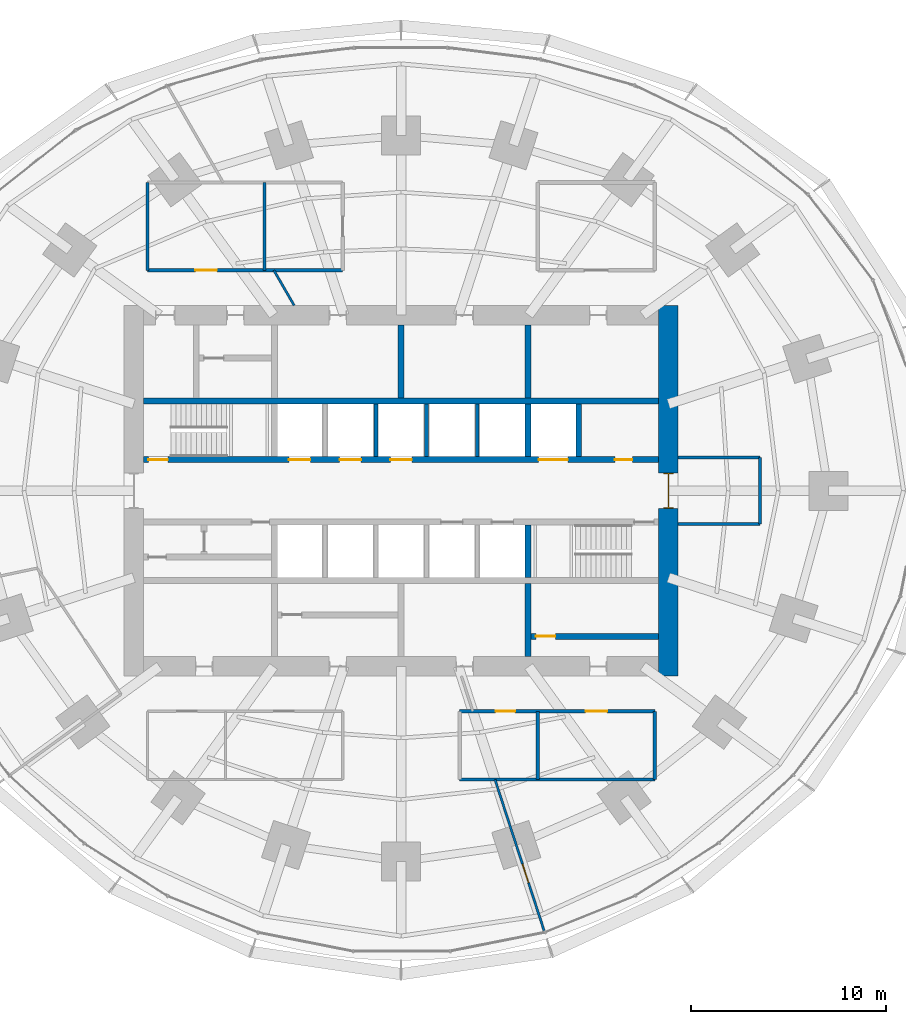
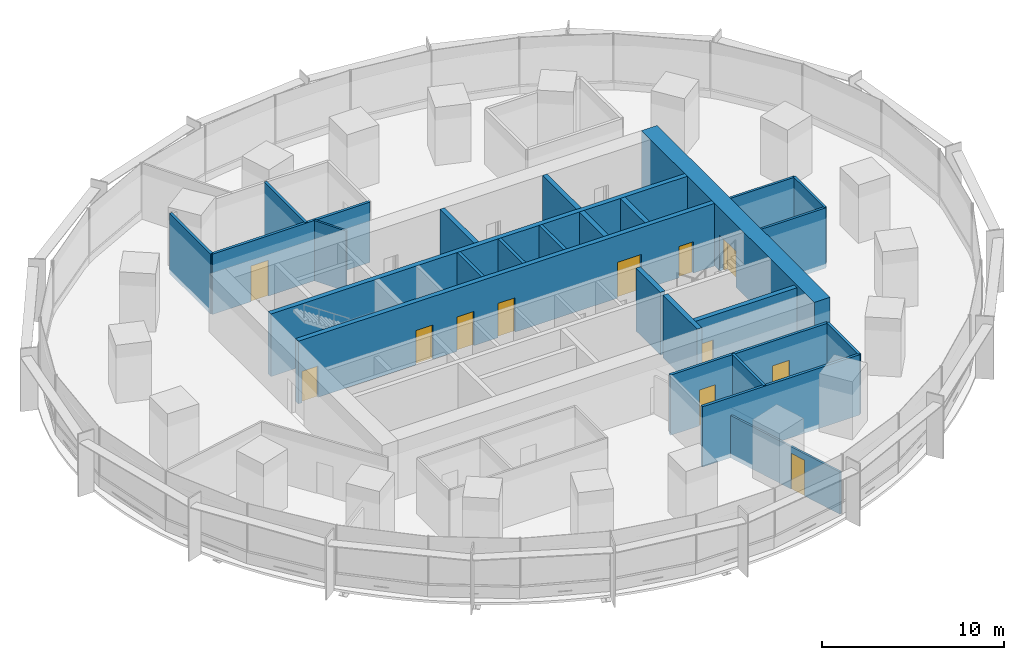
# One storey, part 12 of 15: 25 walls, 12 doors, 12 openings.
"""IFC4 building model written with IfcOpenShell, lengths in metres."""

from ifc_helpers import new_model, si_unit, direction, frame, frame_2d, origin, place, context, subcontext, project, spatial, rectangle, extrude, material, layer, layer_set, type_object, element, fill, save


model = new_model("IFC4")

# Units and contexts
model_context = context("Model", 3, precision=1e-05, world=origin(), true_north=direction((0.0, 1.0)))
body_context = subcontext(model_context, "Body", "Model", "MODEL_VIEW")
ifc_project = project(units=[si_unit("LENGTHUNIT", "METRE"), si_unit("AREAUNIT", "SQUARE_METRE"), si_unit("VOLUMEUNIT", "CUBIC_METRE"), si_unit("PLANEANGLEUNIT", "RADIAN"), si_unit("MASSUNIT", "GRAM", prefix="KILO")], contexts=[model_context])

# Site, building, storey
site_placement = place(None, origin())
site = spatial("IfcSite", under=ifc_project, at=site_placement, CompositionType="ELEMENT")
building_placement = place(site_placement, origin())
building = spatial("IfcBuilding", under=site, at=building_placement, Name="Marramba Exchange Tower", CompositionType="ELEMENT")
storey_placement = place(building_placement, frame((0.0, 0.0, 23.800048828125)))
storey = spatial("IfcBuildingStorey", under=building, at=storey_placement, Name="L05", CompositionType="ELEMENT", Elevation=23.800048828125)

# Walls
ifc_material_1 = material(Name="Plasterboard on staggered double steel studs, acoustic insulation", Category="steel")
ifc_layer_1 = layer(ifc_material_1, 0.169921875)
ifc_layer_set_1 = layer_set([ifc_layer_1], Name="Acoustic partition 170")
wall_type_1 = type_object("IfcWallType", Name="Acoustic partition 170", PredefinedType="PARTITIONING", material=ifc_layer_set_1)
wall_1_placement = place(storey_placement, frame((7.0, -11.300048828125, 0.0), z_axis=(0.0, 0.0, 1.0), x_axis=(0.0, -1.0, 0.0)))
element("IfcWall", 1, at=wall_1_placement, inside=storey, type_object=wall_type_1, Name="Acoustic partition L05 12", PredefinedType="PARTITIONING", context=body_context, shape_type="SweptSolid", body=[
    extrude(rectangle(XDim=3.5, YDim=0.169921875, at=frame_2d((1.75, 0.0))), origin(), (0.0, 0.0, 1.0), 4.0400390625),
])
wall_2_placement = place(storey_placement, frame((3.0, -14.800048828125, 0.0), z_axis=(0.0, 0.0, 1.0), x_axis=(1.0, 0.0, 0.0)))
element("IfcWall", 2, at=wall_2_placement, inside=storey, type_object=wall_type_1, Name="Acoustic partition L05 13", PredefinedType="PARTITIONING", context=body_context, shape_type="SweptSolid", body=[
    extrude(rectangle(XDim=10.0, YDim=0.169921875, at=frame_2d((5.0, 0.0))), origin(), (0.0, 0.0, 1.0), 4.0400390625),
])

# Wall, openings, doors
wall_3_placement = place(storey_placement, frame((13.0, -11.300048828125, 0.0), z_axis=(0.0, 0.0, 1.0), x_axis=(-1.0, 0.0, 0.0)))
wall_3 = element("IfcWall", 3, at=wall_3_placement, inside=storey, type_object=wall_type_1, Name="Acoustic partition L05 14", PredefinedType="PARTITIONING", context=body_context, shape_type="SweptSolid", body=[
    extrude(rectangle(XDim=10.0, YDim=0.169921875, at=frame_2d((5.0, 0.0))), origin(), (0.0, 0.0, 1.0), 4.0400390625),
])
opening_1_placement = place(wall_3_placement, frame((7.1640625, 0.0, 0.0)))
opening_1 = element("IfcOpeningElement", 4, at=opening_1_placement, cuts=wall_3, Name="Opening D9", PredefinedType="OPENING", context=body_context, shape_type="SweptSolid", body=[
    extrude(rectangle(XDim=1.0, YDim=2.39990234375, at=frame_2d((0.5, 1.199951171875))), frame((0.0, 0.094970703125, 0.0), z_axis=(0.0, -1.0, 0.0), x_axis=(1.0, 0.0, 0.0)), (0.0, 0.0, 1.0), 0.18994140625),
])
opening_2_placement = place(wall_3_placement, frame((2.449951171875, 0.0, 0.0)))
opening_2 = element("IfcOpeningElement", 5, at=opening_2_placement, cuts=wall_3, Name="Opening D15", PredefinedType="OPENING", context=body_context, shape_type="SweptSolid", body=[
    extrude(rectangle(XDim=1.10009765625, YDim=2.39990234375, at=frame_2d((0.550048828125, 1.199951171875))), frame((0.0, 0.094970703125, 0.0), z_axis=(0.0, -1.0, 0.0), x_axis=(1.0, 0.0, 0.0)), (0.0, 0.0, 1.0), 0.18994140625),
])
ifc_material_2 = material(Name="Timber door", Category="wood")
door_type_1 = type_object("IfcDoorType", Name="Glazed meeting room door 1100x2400", OperationType="SINGLE_SWING_LEFT", PredefinedType="DOOR", material=ifc_material_2)
door_1_placement = place(opening_2_placement, origin())
door_1 = element("IfcDoor", 6, at=door_1_placement, inside=storey, type_object=door_type_1, Name="D15 Meeting Room 2 L05", OperationType="SINGLE_SWING_RIGHT", OverallHeight=2.39990234375, OverallWidth=1.10009765625, PredefinedType="DOOR", context=body_context, shape_type="SweptSolid", body=[
    extrude(rectangle(XDim=1.10009765625, YDim=2.39990234375, at=frame_2d((0.550048828125, 1.199951171875))), frame((0.0, 0.02490234375, 0.0), z_axis=(0.0, -1.0, 0.0), x_axis=(1.0, 0.0, 0.0)), (0.0, 0.0, 1.0), 0.050048828125),
])
fill(opening_2, door_1)
door_type_2 = type_object("IfcDoorType", Name="Room door 1000x2400", OperationType="SINGLE_SWING_LEFT", PredefinedType="DOOR", material=ifc_material_2)
door_2_placement = place(opening_1_placement, origin())
door_2 = element("IfcDoor", 7, at=door_2_placement, inside=storey, type_object=door_type_2, Name="D9 Quiet Room L05", OperationType="SINGLE_SWING_LEFT", OverallHeight=2.39990234375, OverallWidth=1.0, PredefinedType="DOOR", context=body_context, shape_type="SweptSolid", body=[
    extrude(rectangle(XDim=1.0, YDim=2.39990234375, at=frame_2d((0.5, 1.199951171875))), frame((0.0, 0.02490234375, 0.0), z_axis=(0.0, -1.0, 0.0), x_axis=(1.0, 0.0, 0.0)), (0.0, 0.0, 1.0), 0.050048828125),
])
fill(opening_1, door_2)

# Walls
wall_4_placement = place(storey_placement, frame((13.0, -14.800048828125, 0.0), z_axis=(0.0, 0.0, 1.0), x_axis=(0.0, 1.0, 0.0)))
element("IfcWall", 8, at=wall_4_placement, inside=storey, type_object=wall_type_1, Name="Acoustic partition L05 15", PredefinedType="PARTITIONING", context=body_context, shape_type="SweptSolid", body=[
    extrude(rectangle(XDim=3.5, YDim=0.169921875, at=frame_2d((1.75, 0.0))), origin(), (0.0, 0.0, 1.0), 4.0400390625),
])
wall_5_placement = place(storey_placement, frame((-7.0, 15.800048828125, 0.0), z_axis=(0.0, 0.0, 1.0), x_axis=(0.0, -1.0, 0.0)))
element("IfcWall", 9, at=wall_5_placement, inside=storey, type_object=wall_type_1, Name="Acoustic partition L05 25", PredefinedType="PARTITIONING", context=body_context, shape_type="SweptSolid", body=[
    extrude(rectangle(XDim=4.5, YDim=0.169921875, at=frame_2d((2.25, 0.0))), origin(), (0.0, 0.0, 1.0), 4.0400390625),
])

# Wall, opening, door
wall_6_placement = place(storey_placement, frame((-13.0, 11.300048828125, 0.0), z_axis=(0.0, 0.0, 1.0), x_axis=(1.0, 0.0, 0.0)))
wall_6 = element("IfcWall", 10, at=wall_6_placement, inside=storey, type_object=wall_type_1, Name="Acoustic partition L05 28", PredefinedType="PARTITIONING", context=body_context, shape_type="SweptSolid", body=[
    extrude(rectangle(XDim=10.0, YDim=0.169921875, at=frame_2d((5.0, 0.0))), origin(), (0.0, 0.0, 1.0), 4.0400390625),
])
opening_3_placement = place(wall_6_placement, frame((2.449951171875, 0.0, 0.0)))
opening_3 = element("IfcOpeningElement", 11, at=opening_3_placement, cuts=wall_6, Name="Opening D15", PredefinedType="OPENING", context=body_context, shape_type="SweptSolid", body=[
    extrude(rectangle(XDim=1.10009765625, YDim=2.39990234375, at=frame_2d((0.550048828125, 1.199951171875))), frame((0.0, 0.094970703125, 0.0), z_axis=(0.0, -1.0, 0.0), x_axis=(1.0, 0.0, 0.0)), (0.0, 0.0, 1.0), 0.18994140625),
])
door_3_placement = place(opening_3_placement, origin())
door_3 = element("IfcDoor", 12, at=door_3_placement, inside=storey, type_object=door_type_1, Name="D15 Meeting Room 1 L05", OperationType="SINGLE_SWING_RIGHT", OverallHeight=2.39990234375, OverallWidth=1.10009765625, PredefinedType="DOOR", context=body_context, shape_type="SweptSolid", body=[
    extrude(rectangle(XDim=1.10009765625, YDim=2.39990234375, at=frame_2d((0.550048828125, 1.199951171875))), frame((0.0, 0.02490234375, 0.0), z_axis=(0.0, -1.0, 0.0), x_axis=(1.0, 0.0, 0.0)), (0.0, 0.0, 1.0), 0.050048828125),
])
fill(opening_3, door_3)

# Walls
wall_7_placement = place(storey_placement, frame((-13.0, 15.800048828125, 0.0), z_axis=(0.0, 0.0, 1.0), x_axis=(0.0, -1.0, 0.0)))
element("IfcWall", 13, at=wall_7_placement, inside=storey, type_object=wall_type_1, Name="Acoustic partition L05 29", PredefinedType="PARTITIONING", context=body_context, shape_type="SweptSolid", body=[
    extrude(rectangle(XDim=4.5, YDim=0.169921875, at=frame_2d((2.25, 0.0))), origin(), (0.0, 0.0, 1.0), 4.0400390625),
])
ifc_material_3 = material(Name="Concrete N50", Category="concrete")
ifc_layer_2 = layer(ifc_material_3, 0.199951171875)
ifc_layer_set_2 = layer_set([ifc_layer_2], Name="Core shaft wall 200")
wall_type_2 = type_object("IfcWallType", Name="Core shaft wall 200", PredefinedType="SHEAR", material=ifc_layer_set_2)
for number, where, z_axis, x_axis, name in (
    (14, (-1.300048828125, 1.75, 0.0), (0.0, 0.0, 1.0), (0.0, 1.0, 0.0), "Core wall SHN2 L05"),
    (15, (1.300048828125, 1.75, 0.0), (0.0, 0.0, 1.0), (0.0, 1.0, 0.0), "Core wall SHN3 L05"),
    (16, (3.89990234375, 1.75, 0.0), (0.0, 0.0, 1.0), (0.0, 1.0, 0.0), "Core wall SHN4 L05"),
):
    element("IfcWall", number, at=place(storey_placement, frame(where, z_axis=z_axis, x_axis=x_axis)), inside=storey, type_object=wall_type_2, Name=name, PredefinedType="SHEAR", context=body_context, shape_type="SweptSolid", body=[
        extrude(rectangle(XDim=2.699951171875, YDim=0.199951171875, at=frame_2d((1.35009765625, 0.0))), origin(), (0.0, 0.0, 1.0), 4.199951171875),
    ])

# Wall, opening, door
ifc_layer_3 = layer(ifc_material_3, 1.0)
ifc_layer_set_3 = layer_set([ifc_layer_3], Name="Core wall 1000")
wall_type_3 = type_object("IfcWallType", Name="Core wall 1000", PredefinedType="SHEAR", material=ifc_layer_set_3)
wall_8_placement = place(storey_placement, frame((13.699951171875, -9.5, 0.0), z_axis=(0.0, 0.0, 1.0), x_axis=(0.0, 1.0, 0.0)))
wall_8 = element("IfcWall", 17, at=wall_8_placement, inside=storey, type_object=wall_type_3, Name="Core wall E L05", PredefinedType="SHEAR", context=body_context, shape_type="SweptSolid", body=[
    extrude(rectangle(XDim=19.0, YDim=1.0, at=frame_2d((9.5, 0.0))), origin(), (0.0, 0.0, 1.0), 4.199951171875),
])
opening_4_placement = place(wall_8_placement, frame((8.60009765625, 0.0, 0.0)))
opening_4 = element("IfcOpeningElement", 18, at=opening_4_placement, cuts=wall_8, Name="Opening D1", PredefinedType="OPENING", context=body_context, shape_type="SweptSolid", body=[
    extrude(rectangle(XDim=1.800048828125, YDim=2.39990234375, at=frame_2d((0.89990234375, 1.199951171875))), frame((0.0, 0.510009765625, 0.0), z_axis=(0.0, -1.0, 0.0), x_axis=(1.0, 0.0, 0.0)), (0.0, 0.0, 1.0), 1.02001953125),
])
ifc_material_4 = material(Name="Steel-framed door", Category="steel")
door_type_3 = type_object("IfcDoorType", Name="Lobby exit door 1800x2400", OperationType="DOUBLE_DOOR_SINGLE_SWING", PredefinedType="DOOR", material=ifc_material_4)
door_4_placement = place(opening_4_placement, frame((1.800048828125, 0.0, 0.0), z_axis=(0.0, 0.0, 1.0), x_axis=(-1.0, 0.0, 0.0)))
door_4 = element("IfcDoor", 19, at=door_4_placement, inside=storey, type_object=door_type_3, Name="D1 lobby exit east L05", OperationType="DOUBLE_DOOR_SINGLE_SWING", OverallHeight=2.39990234375, OverallWidth=1.800048828125, PredefinedType="DOOR", context=body_context, shape_type="SweptSolid", body=[
    extrude(rectangle(XDim=1.719970703125, YDim=2.35986328125, at=frame_2d((0.900146484375, 1.179931640625))), frame((0.0, 0.025146484375, 0.0), z_axis=(0.0, -1.0, 0.0), x_axis=(1.0, 0.0, 0.0)), (0.0, 0.0, 1.0), 0.050048828125),
    extrude(rectangle(XDim=0.04, YDim=2.39990234375, at=frame_2d((1.780029296875, 1.199951171875))), frame((0.0, 0.25, 0.0), z_axis=(0.0, -1.0, 0.0), x_axis=(1.0, 0.0, 0.0)), (0.0, 0.0, 1.0), 0.5),
    extrude(rectangle(XDim=0.04, YDim=2.39990234375, at=frame_2d((0.02001953125, 1.199951171875))), frame((0.0, 0.25, 0.0), z_axis=(0.0, -1.0, 0.0), x_axis=(1.0, 0.0, 0.0)), (0.0, 0.0, 1.0), 0.5),
    extrude(rectangle(XDim=1.719970703125, YDim=0.04, at=frame_2d((0.900146484375, 2.3798828125))), frame((0.0, 0.25, 0.0), z_axis=(0.0, -1.0, 0.0), x_axis=(1.0, 0.0, 0.0)), (0.0, 0.0, 1.0), 0.5),
])
fill(opening_4, door_4)

# Wall, openings, doors
ifc_layer_4 = layer(ifc_material_3, 0.300048828125)
ifc_layer_set_4 = layer_set([ifc_layer_4], Name="Core wall 300")
wall_type_4 = type_object("IfcWallType", Name="Core wall 300", PredefinedType="SHEAR", material=ifc_layer_set_4)
wall_9_placement = place(storey_placement, frame((-13.199951171875, 1.60009765625, 0.0), z_axis=(0.0, 0.0, 1.0), x_axis=(1.0, 0.0, 0.0)))
wall_9 = element("IfcWall", 20, at=wall_9_placement, inside=storey, type_object=wall_type_4, Name="Core wall LN L05", PredefinedType="SHEAR", context=body_context, shape_type="SweptSolid", body=[
    extrude(rectangle(XDim=26.39990234375, YDim=0.300048828125, at=frame_2d((13.199951171875, 0.0))), origin(), (0.0, 0.0, 1.0), 4.199951171875),
])
opening_5_placement = place(wall_9_placement, frame((0.25, 0.0, 0.0)))
opening_5 = element("IfcOpeningElement", 21, at=opening_5_placement, cuts=wall_9, Name="Opening D2", PredefinedType="OPENING", context=body_context, shape_type="SweptSolid", body=[
    extrude(rectangle(XDim=1.0, YDim=2.10009765625, at=frame_2d((0.5, 1.050048828125))), frame((0.0, 0.159912109375, 0.0), z_axis=(0.0, -1.0, 0.0), x_axis=(1.0, 0.0, 0.0)), (0.0, 0.0, 1.0), 0.320068359375),
])
opening_6_placement = place(wall_9_placement, frame((20.25, 0.0, 0.0)))
opening_6 = element("IfcOpeningElement", 22, at=opening_6_placement, cuts=wall_9, Name="Opening LD3", PredefinedType="OPENING", context=body_context, shape_type="SweptSolid", body=[
    extrude(rectangle(XDim=1.5, YDim=2.39990234375, at=frame_2d((0.75, 1.199951171875))), frame((0.0, 0.159912109375, 0.0), z_axis=(0.0, -1.0, 0.0), x_axis=(1.0, 0.0, 0.0)), (0.0, 0.0, 1.0), 0.320068359375),
])
opening_7_placement = place(wall_9_placement, frame((7.449951171875, 0.0, 0.0)))
opening_7 = element("IfcOpeningElement", 23, at=opening_7_placement, cuts=wall_9, Name="Opening LD1", PredefinedType="OPENING", context=body_context, shape_type="SweptSolid", body=[
    extrude(rectangle(XDim=1.10009765625, YDim=2.300048828125, at=frame_2d((0.550048828125, 1.14990234375))), frame((0.0, 0.159912109375, 0.0), z_axis=(0.0, -1.0, 0.0), x_axis=(1.0, 0.0, 0.0)), (0.0, 0.0, 1.0), 0.320068359375),
])
opening_8_placement = place(wall_9_placement, frame((10.050048828125, 0.0, 0.0)))
opening_8 = element("IfcOpeningElement", 24, at=opening_8_placement, cuts=wall_9, Name="Opening LD1", PredefinedType="OPENING", context=body_context, shape_type="SweptSolid", body=[
    extrude(rectangle(XDim=1.10009765625, YDim=2.300048828125, at=frame_2d((0.550048828125, 1.14990234375))), frame((0.0, 0.159912109375, 0.0), z_axis=(0.0, -1.0, 0.0), x_axis=(1.0, 0.0, 0.0)), (0.0, 0.0, 1.0), 0.320068359375),
])
opening_9_placement = place(wall_9_placement, frame((12.64990234375, 0.0, 0.0)))
opening_9 = element("IfcOpeningElement", 25, at=opening_9_placement, cuts=wall_9, Name="Opening LD1", PredefinedType="OPENING", context=body_context, shape_type="SweptSolid", body=[
    extrude(rectangle(XDim=1.10009765625, YDim=2.300048828125, at=frame_2d((0.550048828125, 1.14990234375))), frame((0.0, 0.159912109375, 0.0), z_axis=(0.0, -1.0, 0.0), x_axis=(1.0, 0.0, 0.0)), (0.0, 0.0, 1.0), 0.320068359375),
])
opening_10_placement = place(wall_9_placement, frame((24.14990234375, 0.0, 0.0)))
opening_10 = element("IfcOpeningElement", 26, at=opening_10_placement, cuts=wall_9, Name="Opening D5", PredefinedType="OPENING", context=body_context, shape_type="SweptSolid", body=[
    extrude(rectangle(XDim=0.89990234375, YDim=2.10009765625, at=frame_2d((0.449951171875, 1.050048828125))), frame((0.0, 0.159912109375, 0.0), z_axis=(0.0, -1.0, 0.0), x_axis=(1.0, 0.0, 0.0)), (0.0, 0.0, 1.0), 0.320068359375),
])
door_type_4 = type_object("IfcDoorType", Name="Goods lift landing door 1500x2400", OperationType="SLIDING_TO_LEFT", PredefinedType="DOOR", material=ifc_material_4)
door_5_placement = place(opening_6_placement, origin())
door_5 = element("IfcDoor", 27, at=door_5_placement, inside=storey, type_object=door_type_4, Name="GL1 landing door L05", OperationType="SLIDING_TO_LEFT", OverallHeight=2.39990234375, OverallWidth=1.5, PredefinedType="DOOR", context=body_context, shape_type="SweptSolid", body=[
    extrude(rectangle(XDim=1.5, YDim=2.39990234375, at=frame_2d((0.75, 1.199951171875))), frame((0.0, 0.02490234375, 0.0), z_axis=(0.0, -1.0, 0.0), x_axis=(1.0, 0.0, 0.0)), (0.0, 0.0, 1.0), 0.050048828125),
])
fill(opening_6, door_5)
door_type_5 = type_object("IfcDoorType", Name="Lift landing door 1100x2300", OperationType="SLIDING_TO_LEFT", PredefinedType="DOOR", material=ifc_material_4)
door_6_placement = place(opening_7_placement, origin())
door_6 = element("IfcDoor", 28, at=door_6_placement, inside=storey, type_object=door_type_5, Name="LA1 landing door L05", OperationType="SLIDING_TO_LEFT", OverallHeight=2.300048828125, OverallWidth=1.10009765625, PredefinedType="DOOR", context=body_context, shape_type="SweptSolid", body=[
    extrude(rectangle(XDim=1.10009765625, YDim=2.300048828125, at=frame_2d((0.550048828125, 1.14990234375))), frame((0.0, 0.02490234375, 0.0), z_axis=(0.0, -1.0, 0.0), x_axis=(1.0, 0.0, 0.0)), (0.0, 0.0, 1.0), 0.050048828125),
])
fill(opening_7, door_6)
door_7_placement = place(opening_8_placement, origin())
door_7 = element("IfcDoor", 29, at=door_7_placement, inside=storey, type_object=door_type_5, Name="LA2 landing door L05", OperationType="SLIDING_TO_LEFT", OverallHeight=2.300048828125, OverallWidth=1.10009765625, PredefinedType="DOOR", context=body_context, shape_type="SweptSolid", body=[
    extrude(rectangle(XDim=1.10009765625, YDim=2.300048828125, at=frame_2d((0.550048828125, 1.14990234375))), frame((0.0, 0.02490234375, 0.0), z_axis=(0.0, -1.0, 0.0), x_axis=(1.0, 0.0, 0.0)), (0.0, 0.0, 1.0), 0.050048828125),
])
fill(opening_8, door_7)
door_8_placement = place(opening_9_placement, origin())
door_8 = element("IfcDoor", 30, at=door_8_placement, inside=storey, type_object=door_type_5, Name="LA3 landing door L05", OperationType="SLIDING_TO_RIGHT", OverallHeight=2.300048828125, OverallWidth=1.10009765625, PredefinedType="DOOR", context=body_context, shape_type="SweptSolid", body=[
    extrude(rectangle(XDim=1.10009765625, YDim=2.300048828125, at=frame_2d((0.550048828125, 1.14990234375))), frame((0.0, 0.02490234375, 0.0), z_axis=(0.0, -1.0, 0.0), x_axis=(1.0, 0.0, 0.0)), (0.0, 0.0, 1.0), 0.050048828125),
])
fill(opening_9, door_8)
door_type_6 = type_object("IfcDoorType", Name="Service door 900x2100", OperationType="SINGLE_SWING_LEFT", PredefinedType="DOOR", material=ifc_material_4)
door_9_placement = place(opening_10_placement, origin())
door_9 = element("IfcDoor", 31, at=door_9_placement, inside=storey, type_object=door_type_6, Name="D5 riser L05", OperationType="SINGLE_SWING_RIGHT", OverallHeight=2.10009765625, OverallWidth=0.89990234375, PredefinedType="DOOR", context=body_context, shape_type="SweptSolid", body=[
    extrude(rectangle(XDim=0.89990234375, YDim=2.10009765625, at=frame_2d((0.449951171875, 1.050048828125))), frame((0.0, 0.02490234375, 0.0), z_axis=(0.0, -1.0, 0.0), x_axis=(1.0, 0.0, 0.0)), (0.0, 0.0, 1.0), 0.050048828125),
])
fill(opening_10, door_9)
door_type_7 = type_object("IfcDoorType", Name="Stair door 1000x2100", OperationType="SINGLE_SWING_LEFT", PredefinedType="DOOR", material=ifc_material_4)
door_10_placement = place(opening_5_placement, origin())
door_10 = element("IfcDoor", 32, at=door_10_placement, inside=storey, type_object=door_type_7, Name="D2 stair ST1 L05", OperationType="SINGLE_SWING_LEFT", OverallHeight=2.10009765625, OverallWidth=1.0, PredefinedType="DOOR", context=body_context, shape_type="SweptSolid", body=[
    extrude(rectangle(XDim=1.0, YDim=2.10009765625, at=frame_2d((0.5, 1.050048828125))), frame((0.0, 0.02490234375, 0.0), z_axis=(0.0, -1.0, 0.0), x_axis=(1.0, 0.0, 0.0)), (0.0, 0.0, 1.0), 0.050048828125),
])
fill(opening_5, door_10)

# Walls
wall_10_placement = place(storey_placement, frame((-13.199951171875, 4.60009765625, 0.0), z_axis=(0.0, 0.0, 1.0), x_axis=(1.0, 0.0, 0.0)))
element("IfcWall", 33, at=wall_10_placement, inside=storey, type_object=wall_type_4, Name="Core wall BN L05", PredefinedType="SHEAR", context=body_context, shape_type="SweptSolid", body=[
    extrude(rectangle(XDim=26.39990234375, YDim=0.300048828125, at=frame_2d((13.199951171875, 0.0))), origin(), (0.0, 0.0, 1.0), 4.199951171875),
])
wall_11_placement = place(storey_placement, frame((6.5, 1.75, 0.0), z_axis=(0.0, 0.0, 1.0), x_axis=(0.0, 1.0, 0.0)))
element("IfcWall", 34, at=wall_11_placement, inside=storey, type_object=wall_type_4, Name="Core wall X1Na L05", PredefinedType="SHEAR", context=body_context, shape_type="SweptSolid", body=[
    extrude(rectangle(XDim=2.699951171875, YDim=0.300048828125, at=frame_2d((1.35009765625, 0.0))), origin(), (0.0, 0.0, 1.0), 4.199951171875),
])
for number, where, z_axis, x_axis, name in (
    (35, (6.5, 4.75, 0.0), (0.0, 0.0, 1.0), (0.0, 1.0, 0.0), "Core wall X1Nb L05"),
    (36, (0.0, 4.75, 0.0), (0.0, 0.0, 1.0), (0.0, 1.0, 0.0), "Core wall MN L05"),
):
    element("IfcWall", number, at=place(storey_placement, frame(where, z_axis=z_axis, x_axis=x_axis)), inside=storey, type_object=wall_type_4, Name=name, PredefinedType="SHEAR", context=body_context, shape_type="SweptSolid", body=[
        extrude(rectangle(XDim=3.75, YDim=0.300048828125, at=frame_2d((1.875, 0.0))), origin(), (0.0, 0.0, 1.0), 4.199951171875),
    ])
wall_12_placement = place(storey_placement, frame((6.5, -1.75, 0.0), z_axis=(0.0, 0.0, 1.0), x_axis=(0.0, -1.0, 0.0)))
element("IfcWall", 37, at=wall_12_placement, inside=storey, type_object=wall_type_4, Name="Core wall X1Sa L05", PredefinedType="SHEAR", context=body_context, shape_type="SweptSolid", body=[
    extrude(rectangle(XDim=2.699951171875, YDim=0.300048828125, at=frame_2d((1.35009765625, 0.0))), origin(), (0.0, 0.0, 1.0), 4.199951171875),
])
wall_13_placement = place(storey_placement, frame((6.5, -4.75, 0.0), z_axis=(0.0, 0.0, 1.0), x_axis=(0.0, -1.0, 0.0)))
element("IfcWall", 38, at=wall_13_placement, inside=storey, type_object=wall_type_4, Name="Core wall X1Sb L05", PredefinedType="SHEAR", context=body_context, shape_type="SweptSolid", body=[
    extrude(rectangle(XDim=3.75, YDim=0.300048828125, at=frame_2d((1.875, 0.0))), origin(), (0.0, 0.0, 1.0), 4.199951171875),
])
wall_14_placement = place(storey_placement, frame((9.10009765625, 1.75, 0.0), z_axis=(0.0, 0.0, 1.0), x_axis=(0.0, 1.0, 0.0)))
element("IfcWall", 39, at=wall_14_placement, inside=storey, type_object=wall_type_4, Name="Core wall ED L05", PredefinedType="SHEAR", context=body_context, shape_type="SweptSolid", body=[
    extrude(rectangle(XDim=2.699951171875, YDim=0.300048828125, at=frame_2d((1.35009765625, 0.0))), origin(), (0.0, 0.0, 1.0), 4.199951171875),
])

# Wall, opening, door
ifc_material_5 = material(Name="Plasterboard on steel studs", Category="steel")
ifc_layer_5 = layer(ifc_material_5, 0.1201171875)
ifc_layer_set_5 = layer_set([ifc_layer_5], Name="Partition 120")
wall_type_5 = type_object("IfcWallType", Name="Partition 120", PredefinedType="PARTITIONING", material=ifc_layer_set_5)
wall_15_placement = place(storey_placement, frame((7.330078125, -22.56005859375, 0.0), z_axis=(0.0, 0.0, 1.0), x_axis=(-0.30900149873, 0.951061550996, 0.0)))
wall_15 = element("IfcWall", 40, at=wall_15_placement, inside=storey, type_object=wall_type_5, Name="Partition L05 11", PredefinedType="PARTITIONING", context=body_context, shape_type="SweptSolid", body=[
    extrude(rectangle(XDim=8.159423828125, YDim=0.1201171875, at=frame_2d((4.07958984375, 0.0))), origin(), (0.0, 0.0, 1.0), 2.83984375),
])
opening_11_placement = place(wall_15_placement, frame((2.60302734375, 0.0, 0.0)))
opening_11 = element("IfcOpeningElement", 41, at=opening_11_placement, cuts=wall_15, Name="Opening D9", PredefinedType="OPENING", context=body_context, shape_type="SweptSolid", body=[
    extrude(rectangle(XDim=1.0, YDim=2.39990234375, at=frame_2d((0.5, 1.199951171875))), frame((0.0, 0.070068359375, 0.0), z_axis=(0.0, -1.0, 0.0), x_axis=(1.0, 0.0, 0.0)), (0.0, 0.0, 1.0), 0.14013671875),
])
door_11_placement = place(opening_11_placement, origin())
door_11 = element("IfcDoor", 42, at=door_11_placement, inside=storey, type_object=door_type_2, Name="D9 Equities Trading Floor L05", OperationType="SINGLE_SWING_LEFT", OverallHeight=2.39990234375, OverallWidth=1.0, PredefinedType="DOOR", context=body_context, shape_type="SweptSolid", body=[
    extrude(rectangle(XDim=1.0, YDim=2.39990234375, at=frame_2d((0.5, 1.199951171875))), frame((0.0, 0.02490234375, 0.0), z_axis=(0.0, -1.0, 0.0), x_axis=(1.0, 0.0, 0.0)), (0.0, 0.0, 1.0), 0.050048828125),
])
fill(opening_11, door_11)

# Wall
wall_16_placement = place(storey_placement, frame((-5.48486328125, 9.5, 0.0), z_axis=(0.0, 0.0, 1.0), x_axis=(-0.499929208183, 0.866066271601, 0.0)))
element("IfcWall", 43, at=wall_16_placement, inside=storey, type_object=wall_type_5, Name="Partition L05 26", PredefinedType="PARTITIONING", context=body_context, shape_type="SweptSolid", body=[
    extrude(rectangle(XDim=2.078369140625, YDim=0.1201171875, at=frame_2d((1.0390625, 0.0))), origin(), (0.0, 0.0, 1.0), 4.0400390625),
])

# Wall, opening, door
ifc_material_6 = material(Name="Plasterboard on steel studs, insulated, unrated", Category="steel")
ifc_layer_6 = layer(ifc_material_6, 0.300048828125)
ifc_layer_set_6 = layer_set([ifc_layer_6], Name="Store partition 300")
wall_type_6 = type_object("IfcWallType", Name="Store partition 300", PredefinedType="PARTITIONING", material=ifc_layer_set_6)
wall_17_placement = place(storey_placement, frame((6.64990234375, -7.4599609375, 0.0), z_axis=(0.0, 0.0, 1.0), x_axis=(1.0, 0.0, 0.0)))
wall_17 = element("IfcWall", 44, at=wall_17_placement, inside=storey, type_object=wall_type_6, Name="Store partition L05 cstore", PredefinedType="PARTITIONING", context=body_context, shape_type="SweptSolid", body=[
    extrude(rectangle(XDim=6.550048828125, YDim=0.300048828125, at=frame_2d((3.27490234375, 0.0))), origin(), (0.0, 0.0, 1.0), 4.0400390625),
])
opening_12_placement = place(wall_17_placement, frame((0.25, 0.0, 0.0)))
opening_12 = element("IfcOpeningElement", 45, at=opening_12_placement, cuts=wall_17, Name="Opening D9", PredefinedType="OPENING", context=body_context, shape_type="SweptSolid", body=[
    extrude(rectangle(XDim=1.0, YDim=2.39990234375, at=frame_2d((0.5, 1.199951171875))), frame((0.0, 0.159912109375, 0.0), z_axis=(0.0, -1.0, 0.0), x_axis=(1.0, 0.0, 0.0)), (0.0, 0.0, 1.0), 0.320068359375),
])
door_12_placement = place(opening_12_placement, frame((1.0, 0.0, 0.0), z_axis=(0.0, 0.0, 1.0), x_axis=(-1.0, 0.0, 0.0)))
door_12 = element("IfcDoor", 46, at=door_12_placement, inside=storey, type_object=door_type_2, Name="D9 general store L05", OperationType="SINGLE_SWING_RIGHT", OverallHeight=2.39990234375, OverallWidth=1.0, PredefinedType="DOOR", context=body_context, shape_type="SweptSolid", body=[
    extrude(rectangle(XDim=1.0, YDim=2.39990234375, at=frame_2d((0.5, 1.199951171875))), frame((0.0, 0.025146484375, 0.0), z_axis=(0.0, -1.0, 0.0), x_axis=(1.0, 0.0, 0.0)), (0.0, 0.0, 1.0), 0.050048828125),
])
fill(opening_12, door_12)

# Walls
ifc_material_7 = material(Name="Fire-rated plasterboard on steel studs, acoustic insulation", Category="steel")
ifc_layer_7 = layer(ifc_material_7, 0.14990234375)
ifc_layer_set_7 = layer_set([ifc_layer_7], Name="Tenancy wall 150")
wall_type_7 = type_object("IfcWallType", Name="Tenancy wall 150", PredefinedType="PARTITIONING", material=ifc_layer_set_7)
wall_18_placement = place(storey_placement, frame((14.199951171875, -1.699951171875, 0.0), z_axis=(0.0, 0.0, 1.0), x_axis=(1.0, 0.0, 0.0)))
element("IfcWall", 47, at=wall_18_placement, inside=storey, type_object=wall_type_7, Name="Tenancy wall L05 16", PredefinedType="PARTITIONING", context=body_context, shape_type="SweptSolid", body=[
    extrude(rectangle(XDim=4.199951171875, YDim=0.14990234375, at=frame_2d((2.10009765625, 0.0))), origin(), (0.0, 0.0, 1.0), 4.0400390625),
])
wall_19_placement = place(storey_placement, frame((18.39990234375, -1.699951171875, 0.0), z_axis=(0.0, 0.0, 1.0), x_axis=(0.0, 1.0, 0.0)))
element("IfcWall", 48, at=wall_19_placement, inside=storey, type_object=wall_type_7, Name="Tenancy wall L05 17", PredefinedType="PARTITIONING", context=body_context, shape_type="SweptSolid", body=[
    extrude(rectangle(XDim=3.39990234375, YDim=0.14990234375, at=frame_2d((1.699951171875, 0.0))), origin(), (0.0, 0.0, 1.0), 4.0400390625),
])
wall_20_placement = place(storey_placement, frame((18.39990234375, 1.699951171875, 0.0), z_axis=(0.0, 0.0, 1.0), x_axis=(-1.0, 0.0, 0.0)))
element("IfcWall", 49, at=wall_20_placement, inside=storey, type_object=wall_type_7, Name="Tenancy wall L05 18", PredefinedType="PARTITIONING", context=body_context, shape_type="SweptSolid", body=[
    extrude(rectangle(XDim=4.199951171875, YDim=0.14990234375, at=frame_2d((2.10009765625, 0.0))), origin(), (0.0, 0.0, 1.0), 4.0400390625),
])

save(model, "model.ifc")
